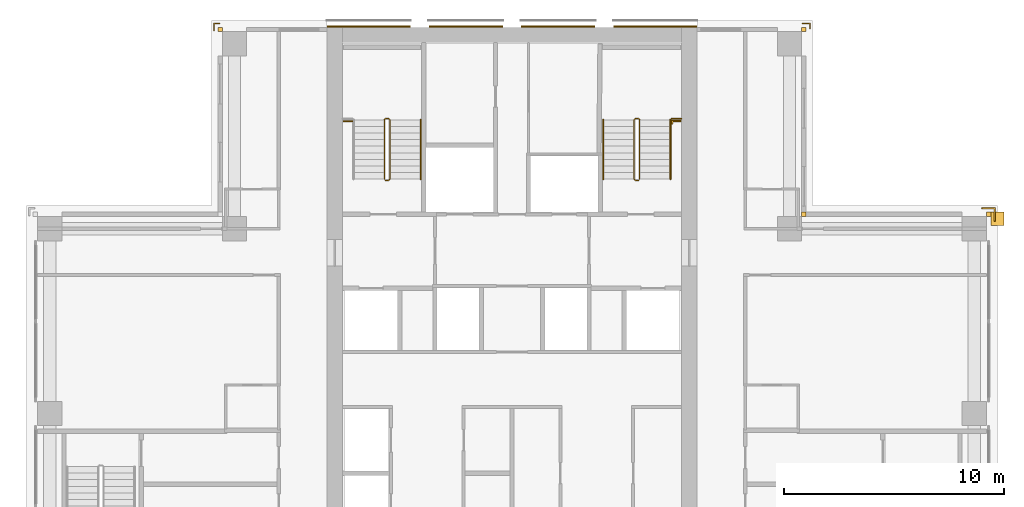
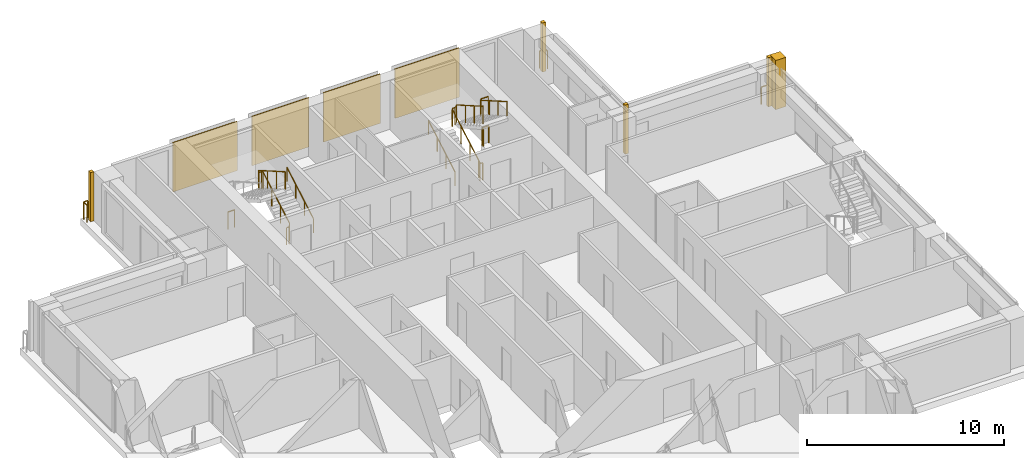
# One storey, part 16 of 16: 11 railings, 9 coverings.
"""IFC4 building model written with IfcOpenShell, lengths in metres."""

from ifc_helpers import new_model, si_unit, direction, frame, origin, origin_2d, place, context, subcontext, project, spatial, polyline, rectangle, outline, extrude, material, type_object, element, save


model = new_model("IFC4")

# Units and contexts
model_context = context("Model", 3, precision=1e-05, world=origin(), true_north=direction((0.0, 1.0)))
body_context = subcontext(model_context, "Body", "Model", "MODEL_VIEW")
ifc_project = project(units=[si_unit("LENGTHUNIT", "METRE"), si_unit("AREAUNIT", "SQUARE_METRE"), si_unit("VOLUMEUNIT", "CUBIC_METRE"), si_unit("PLANEANGLEUNIT", "RADIAN"), si_unit("MASSUNIT", "GRAM", prefix="KILO")], contexts=[model_context])

# Site, building, storey
site_placement = place(None, origin())
site = spatial("IfcSite", under=ifc_project, at=site_placement, CompositionType="ELEMENT")
building_placement = place(site_placement, origin())
building = spatial("IfcBuilding", under=site, at=building_placement, Name="Vermilion Ogive Tower", CompositionType="ELEMENT")
storey_placement = place(building_placement, frame((0.0, 0.0, 140.0)))
storey = spatial("IfcBuildingStorey", under=building, at=storey_placement, Name="L35", CompositionType="ELEMENT", Elevation=140.0)

# Railings
ifc_material_1 = material(Name="Stainless steel", Category="steel")
railing_type_1 = type_object("IfcRailingType", Name="Slab edge guard SG1", PredefinedType="GUARDRAIL", material=ifc_material_1)
railing_1_placement = place(storey_placement, frame((-13.530029296875, 21.60009765625, 0.0)))
element("IfcRailing", 1, at=railing_1_placement, inside=storey, type_object=railing_type_1, Name="L35 slab corner guard", PredefinedType="GUARDRAIL", context=body_context, shape_type="SweptSolid", body=[
    extrude(rectangle(XDim=0.050048828125, YDim=0.050048828125, at=origin_2d()), frame((0.0, 0.0, 1.0751953125), z_axis=(0.0, 1.0, 0.0), x_axis=(-1.0, 0.0, 0.0)), (0.0, 0.0, 1.0), 0.329833984375),
    extrude(rectangle(XDim=0.050048828125, YDim=0.050048828125, at=origin_2d()), frame((0.0, 0.329833984375, 1.0751953125), z_axis=(1.0, 0.0, 0.0), x_axis=(0.0, 1.0, 0.0)), (0.0, 0.0, 1.0), 0.22998046875),
    extrude(rectangle(XDim=0.050048828125, YDim=0.050048828125, at=origin_2d()), origin(), (0.0, 0.0, 1.0), 1.050048828125),
    extrude(rectangle(XDim=0.050048828125, YDim=0.050048828125, at=origin_2d()), frame((0.0, 0.329833984375, 0.0)), (0.0, 0.0, 1.0), 1.050048828125),
    extrude(rectangle(XDim=0.050048828125, YDim=0.050048828125, at=origin_2d()), frame((0.22998046875, 0.329833984375, 0.0)), (0.0, 0.0, 1.0), 1.050048828125),
])
railing_2_placement = place(storey_placement, frame((13.199951171875, 21.929931640625, 0.0)))
element("IfcRailing", 2, at=railing_2_placement, inside=storey, type_object=railing_type_1, Name="L35 slab corner guard", PredefinedType="GUARDRAIL", context=body_context, shape_type="SweptSolid", body=[
    extrude(rectangle(XDim=0.050048828125, YDim=0.050048828125, at=origin_2d()), frame((0.0, 0.0, 1.0751953125), z_axis=(1.0, 0.0, 0.0), x_axis=(0.0, 1.0, 0.0)), (0.0, 0.0, 1.0), 0.330078125),
    extrude(rectangle(XDim=0.050048828125, YDim=0.050048828125, at=origin_2d()), frame((0.330078125, 0.0, 1.0751953125), z_axis=(0.0, -1.0, 0.0), x_axis=(1.0, 0.0, 0.0)), (0.0, 0.0, 1.0), 0.22998046875),
    extrude(rectangle(XDim=0.050048828125, YDim=0.050048828125, at=origin_2d()), origin(), (0.0, 0.0, 1.0), 1.050048828125),
    extrude(rectangle(XDim=0.050048828125, YDim=0.050048828125, at=origin_2d()), frame((0.330078125, 0.0, 0.0)), (0.0, 0.0, 1.0), 1.050048828125),
    extrude(rectangle(XDim=0.050048828125, YDim=0.050048828125, at=origin_2d()), frame((0.330078125, -0.22998046875, 0.0)), (0.0, 0.0, 1.0), 1.050048828125),
])
railing_3_placement = place(storey_placement, frame((21.929931640625, 12.949951171875, 0.0)))
element("IfcRailing", 3, at=railing_3_placement, inside=storey, type_object=railing_type_1, Name="L35 slab corner guard", PredefinedType="GUARDRAIL", context=body_context, shape_type="SweptSolid", body=[
    extrude(rectangle(XDim=0.050048828125, YDim=0.050048828125, at=origin_2d()), frame((0.0, 0.0, 1.0751953125), z_axis=(0.0, 1.0, 0.0), x_axis=(-1.0, 0.0, 0.0)), (0.0, 0.0, 1.0), 0.580078125),
    extrude(rectangle(XDim=0.050048828125, YDim=0.050048828125, at=origin_2d()), frame((0.0, 0.580078125, 1.0751953125), z_axis=(-1.0, 0.0, 0.0), x_axis=(0.0, -1.0, 0.0)), (0.0, 0.0, 1.0), 0.579833984375),
    extrude(rectangle(XDim=0.050048828125, YDim=0.050048828125, at=origin_2d()), origin(), (0.0, 0.0, 1.0), 1.050048828125),
    extrude(rectangle(XDim=0.050048828125, YDim=0.050048828125, at=origin_2d()), frame((0.0, 0.580078125, 0.0)), (0.0, 0.0, 1.0), 1.050048828125),
    extrude(rectangle(XDim=0.050048828125, YDim=0.050048828125, at=origin_2d()), frame((-0.579833984375, 0.580078125, 0.0)), (0.0, 0.0, 1.0), 1.050048828125),
])
ifc_material_2 = material(Name="Steel S355 painted", Category="steel")
railing_type_2 = type_object("IfcRailingType", Name="Stair guard 1100", PredefinedType="GUARDRAIL", material=ifc_material_2)
railing_4_placement = place(storey_placement, frame((-5.75, 14.800048828125, 0.0)))
element("IfcRailing", 4, at=railing_4_placement, inside=storey, type_object=railing_type_2, Name="L35 ST1 stair guard 4", PredefinedType="GUARDRAIL", context=body_context, shape_type="SweptSolid", body=[
    extrude(rectangle(XDim=0.048095703125, YDim=0.048095703125, at=origin_2d()), frame((0.0, 0.0, 1.076171875), z_axis=(1.0, 0.0, 0.0), x_axis=(0.0, 1.0, 0.0)), (0.0, 0.0, 1.0), 0.14990234375),
    extrude(rectangle(XDim=0.048095703125, YDim=0.048095703125, at=origin_2d()), frame((0.14990234375, 0.0, 1.076171875), z_axis=(0.268277960024, 0.268277960024, 0.925231793839), x_axis=(-0.707106781187, 0.707106781187, 0.0)), (0.0, 0.0, 1.0), 0.1865234375),
    extrude(rectangle(XDim=0.048095703125, YDim=0.048095703125, at=origin_2d()), frame((0.199951171875, 0.050048828125, 1.24853515625), z_axis=(0.0, 0.866903762492, 0.498475542607), x_axis=(-1.0, 0.0, 0.0)), (0.0, 0.0, 1.0), 3.114501953125),
    extrude(rectangle(XDim=0.048095703125, YDim=0.048095703125, at=origin_2d()), frame((0.199951171875, 2.75, 2.80126953125), z_axis=(-0.707106781187, 0.707106781187, 0.0), x_axis=(-0.707106781187, -0.707106781187, 0.0)), (0.0, 0.0, 1.0), 0.07080078125),
    extrude(rectangle(XDim=0.048095703125, YDim=0.048095703125, at=origin_2d()), frame((0.14990234375, 2.800048828125, 2.80126953125), z_axis=(-1.0, 0.0, 0.0), x_axis=(0.0, -1.0, 0.0)), (0.0, 0.0, 1.0), 0.14990234375),
    extrude(rectangle(XDim=0.048095703125, YDim=0.048095703125, at=origin_2d()), frame((0.0, 2.800048828125, 2.80126953125), z_axis=(-0.268603158521, -0.268603158521, 0.925043072762), x_axis=(0.707106781187, -0.707106781187, 0.0)), (0.0, 0.0, 1.0), 0.186279296875),
    extrude(rectangle(XDim=0.048095703125, YDim=0.048095703125, at=origin_2d()), frame((-0.050048828125, 2.75, 2.9736328125), z_axis=(0.0, -0.866903762492, 0.498475542607), x_axis=(1.0, 0.0, 0.0)), (0.0, 0.0, 1.0), 3.114501953125),
    extrude(rectangle(XDim=0.0419921875, YDim=0.0419921875, at=origin_2d()), origin(), (0.0, 0.0, 1.0), 1.052001953125),
    extrude(rectangle(XDim=0.0419921875, YDim=0.0419921875, at=origin_2d()), frame((0.14990234375, 0.0, 0.0)), (0.0, 0.0, 1.0), 1.052001953125),
    extrude(rectangle(XDim=0.0419921875, YDim=0.0419921875, at=origin_2d()), frame((0.199951171875, 0.050048828125, 0.172607421875)), (0.0, 0.0, 1.0), 1.052001953125),
    extrude(rectangle(XDim=0.0419921875, YDim=0.0419921875, at=origin_2d()), frame((0.199951171875, 0.949951171875, 0.690185546875)), (0.0, 0.0, 1.0), 1.052001953125),
    extrude(rectangle(XDim=0.0419921875, YDim=0.0419921875, at=origin_2d()), frame((0.199951171875, 1.85009765625, 1.20751953125)), (0.0, 0.0, 1.0), 1.052001953125),
    extrude(rectangle(XDim=0.0419921875, YDim=0.0419921875, at=origin_2d()), frame((0.199951171875, 2.75, 1.72509765625)), (0.0, 0.0, 1.0), 1.052001953125),
    extrude(rectangle(XDim=0.0419921875, YDim=0.0419921875, at=origin_2d()), frame((0.14990234375, 2.800048828125, 1.72509765625)), (0.0, 0.0, 1.0), 1.052001953125),
    extrude(rectangle(XDim=0.0419921875, YDim=0.0419921875, at=origin_2d()), frame((0.0, 2.800048828125, 1.72509765625)), (0.0, 0.0, 1.0), 1.052001953125),
    extrude(rectangle(XDim=0.0419921875, YDim=0.0419921875, at=origin_2d()), frame((-0.050048828125, 2.75, 1.8974609375)), (0.0, 0.0, 1.0), 1.052001953125),
    extrude(rectangle(XDim=0.0419921875, YDim=0.0419921875, at=origin_2d()), frame((-0.050048828125, 1.85009765625, 2.4150390625)), (0.0, 0.0, 1.0), 1.052001953125),
    extrude(rectangle(XDim=0.0419921875, YDim=0.0419921875, at=origin_2d()), frame((-0.050048828125, 0.949951171875, 2.932373046875)), (0.0, 0.0, 1.0), 1.052001953125),
    extrude(rectangle(XDim=0.0419921875, YDim=0.0419921875, at=origin_2d()), frame((-0.050048828125, 0.050048828125, 3.449951171875)), (0.0, 0.0, 1.0), 1.052001953125),
])
railing_5_placement = place(storey_placement, frame((5.75, 14.800048828125, 0.0)))
element("IfcRailing", 5, at=railing_5_placement, inside=storey, type_object=railing_type_2, Name="L35 ST2 stair guard 4", PredefinedType="GUARDRAIL", context=body_context, shape_type="SweptSolid", body=[
    extrude(rectangle(XDim=0.048095703125, YDim=0.048095703125, at=origin_2d()), frame((0.0, 0.0, 1.076171875), z_axis=(-1.0, 0.0, 0.0), x_axis=(0.0, -1.0, 0.0)), (0.0, 0.0, 1.0), 0.14990234375),
    extrude(rectangle(XDim=0.048095703125, YDim=0.048095703125, at=origin_2d()), frame((-0.14990234375, 0.0, 1.076171875), z_axis=(-0.268277960024, 0.268277960024, 0.925231793839), x_axis=(-0.707106781187, -0.707106781187, 0.0)), (0.0, 0.0, 1.0), 0.1865234375),
    extrude(rectangle(XDim=0.048095703125, YDim=0.048095703125, at=origin_2d()), frame((-0.199951171875, 0.050048828125, 1.24853515625), z_axis=(0.0, 0.866903762492, 0.498475542607), x_axis=(-1.0, 0.0, 0.0)), (0.0, 0.0, 1.0), 3.114501953125),
    extrude(rectangle(XDim=0.048095703125, YDim=0.048095703125, at=origin_2d()), frame((-0.199951171875, 2.75, 2.80126953125), z_axis=(0.707106781187, 0.707106781187, 0.0), x_axis=(-0.707106781187, 0.707106781187, 0.0)), (0.0, 0.0, 1.0), 0.07080078125),
    extrude(rectangle(XDim=0.048095703125, YDim=0.048095703125, at=origin_2d()), frame((-0.14990234375, 2.800048828125, 2.80126953125), z_axis=(1.0, 0.0, 0.0), x_axis=(0.0, 1.0, 0.0)), (0.0, 0.0, 1.0), 0.14990234375),
    extrude(rectangle(XDim=0.048095703125, YDim=0.048095703125, at=origin_2d()), frame((0.0, 2.800048828125, 2.80126953125), z_axis=(0.268603158521, -0.268603158521, 0.925043072762), x_axis=(0.707106781187, 0.707106781187, 0.0)), (0.0, 0.0, 1.0), 0.186279296875),
    extrude(rectangle(XDim=0.048095703125, YDim=0.048095703125, at=origin_2d()), frame((0.050048828125, 2.75, 2.9736328125), z_axis=(0.0, -0.866903762492, 0.498475542607), x_axis=(1.0, 0.0, 0.0)), (0.0, 0.0, 1.0), 3.114501953125),
    extrude(rectangle(XDim=0.0419921875, YDim=0.0419921875, at=origin_2d()), origin(), (0.0, 0.0, 1.0), 1.052001953125),
    extrude(rectangle(XDim=0.0419921875, YDim=0.0419921875, at=origin_2d()), frame((-0.14990234375, 0.0, 0.0)), (0.0, 0.0, 1.0), 1.052001953125),
    extrude(rectangle(XDim=0.0419921875, YDim=0.0419921875, at=origin_2d()), frame((-0.199951171875, 0.050048828125, 0.172607421875)), (0.0, 0.0, 1.0), 1.052001953125),
    extrude(rectangle(XDim=0.0419921875, YDim=0.0419921875, at=origin_2d()), frame((-0.199951171875, 0.949951171875, 0.690185546875)), (0.0, 0.0, 1.0), 1.052001953125),
    extrude(rectangle(XDim=0.0419921875, YDim=0.0419921875, at=origin_2d()), frame((-0.199951171875, 1.85009765625, 1.20751953125)), (0.0, 0.0, 1.0), 1.052001953125),
    extrude(rectangle(XDim=0.0419921875, YDim=0.0419921875, at=origin_2d()), frame((-0.199951171875, 2.75, 1.72509765625)), (0.0, 0.0, 1.0), 1.052001953125),
    extrude(rectangle(XDim=0.0419921875, YDim=0.0419921875, at=origin_2d()), frame((-0.14990234375, 2.800048828125, 1.72509765625)), (0.0, 0.0, 1.0), 1.052001953125),
    extrude(rectangle(XDim=0.0419921875, YDim=0.0419921875, at=origin_2d()), frame((0.0, 2.800048828125, 1.72509765625)), (0.0, 0.0, 1.0), 1.052001953125),
    extrude(rectangle(XDim=0.0419921875, YDim=0.0419921875, at=origin_2d()), frame((0.050048828125, 2.75, 1.8974609375)), (0.0, 0.0, 1.0), 1.052001953125),
    extrude(rectangle(XDim=0.0419921875, YDim=0.0419921875, at=origin_2d()), frame((0.050048828125, 1.85009765625, 2.4150390625)), (0.0, 0.0, 1.0), 1.052001953125),
    extrude(rectangle(XDim=0.0419921875, YDim=0.0419921875, at=origin_2d()), frame((0.050048828125, 0.949951171875, 2.932373046875)), (0.0, 0.0, 1.0), 1.052001953125),
    extrude(rectangle(XDim=0.0419921875, YDim=0.0419921875, at=origin_2d()), frame((0.050048828125, 0.050048828125, 3.449951171875)), (0.0, 0.0, 1.0), 1.052001953125),
])
railing_6_placement = place(storey_placement, frame((7.25, 17.60009765625, 1.72509765625)))
element("IfcRailing", 6, at=railing_6_placement, inside=storey, type_object=railing_type_2, Name="L35 landing guard", PredefinedType="GUARDRAIL", context=body_context, shape_type="SweptSolid", body=[
    extrude(rectangle(XDim=0.048095703125, YDim=0.048095703125, at=origin_2d()), frame((0.0, 0.0, 1.076171875), z_axis=(1.0, 0.0, 0.0), x_axis=(0.0, 1.0, 0.0)), (0.0, 0.0, 1.0), 0.449951171875),
    extrude(rectangle(XDim=0.0419921875, YDim=0.0419921875, at=origin_2d()), origin(), (0.0, 0.0, 1.0), 1.052001953125),
    extrude(rectangle(XDim=0.0419921875, YDim=0.0419921875, at=origin_2d()), frame((0.449951171875, 0.0, 0.0)), (0.0, 0.0, 1.0), 1.052001953125),
])
railing_7_placement = place(storey_placement, frame((-7.639892578125, 17.489990234375, 0.0)))
element("IfcRailing", 7, at=railing_7_placement, inside=storey, type_object=railing_type_2, Name="L35 stair opening guard", PredefinedType="GUARDRAIL", context=body_context, shape_type="SweptSolid", body=[
    extrude(rectangle(XDim=0.048095703125, YDim=0.048095703125, at=origin_2d()), frame((0.0, 0.0, 1.076171875), z_axis=(1.0, 0.0, 0.0), x_axis=(0.0, 1.0, 0.0)), (0.0, 0.0, 1.0), 0.389892578125),
    extrude(rectangle(XDim=0.0419921875, YDim=0.0419921875, at=origin_2d()), origin(), (0.0, 0.0, 1.0), 1.052001953125),
    extrude(rectangle(XDim=0.0419921875, YDim=0.0419921875, at=origin_2d()), frame((0.389892578125, 0.0, 0.0)), (0.0, 0.0, 1.0), 1.052001953125),
])
railing_8_placement = place(storey_placement, frame((7.267578125, 17.372802734375, 0.0)))
element("IfcRailing", 8, at=railing_8_placement, inside=storey, type_object=railing_type_2, Name="L35 stair opening guard", PredefinedType="GUARDRAIL", context=body_context, shape_type="SweptSolid", body=[
    extrude(rectangle(XDim=0.048095703125, YDim=0.048095703125, at=origin_2d()), frame((0.0, 0.0, 1.076171875), z_axis=(0.0, 1.0, 0.0), x_axis=(-1.0, 0.0, 0.0)), (0.0, 0.0, 1.0), 0.119873046875),
    extrude(rectangle(XDim=0.048095703125, YDim=0.048095703125, at=origin_2d()), frame((0.0, 0.119873046875, 1.076171875), z_axis=(1.0, 0.0, 0.0), x_axis=(0.0, 1.0, 0.0)), (0.0, 0.0, 1.0), 0.39013671875),
    extrude(rectangle(XDim=0.0419921875, YDim=0.0419921875, at=origin_2d()), origin(), (0.0, 0.0, 1.0), 1.052001953125),
    extrude(rectangle(XDim=0.0419921875, YDim=0.0419921875, at=origin_2d()), frame((0.0, 0.119873046875, 0.0)), (0.0, 0.0, 1.0), 1.052001953125),
    extrude(rectangle(XDim=0.0419921875, YDim=0.0419921875, at=origin_2d()), frame((0.39013671875, 0.119873046875, 0.0)), (0.0, 0.0, 1.0), 1.052001953125),
])
ifc_material_3 = material(Name="Stainless steel", Category="steel")
railing_type_3 = type_object("IfcRailingType", Name="Stair handrail 900", PredefinedType="HANDRAIL", material=ifc_material_3)
for number, where, name in (
    (9, (-4.14990234375, 14.85009765625, 0.172607421875), "L35 ST1 stair handrail 1"),
    (10, (4.14990234375, 14.85009765625, 0.172607421875), "L35 ST2 stair handrail 1"),
):
    element("IfcRailing", number, at=place(storey_placement, frame(where)), inside=storey, type_object=railing_type_3, Name=name, PredefinedType="HANDRAIL", context=body_context, shape_type="SweptSolid", body=[
        extrude(rectangle(XDim=0.048095703125, YDim=0.048095703125, at=origin_2d()), frame((0.0, 0.0, 0.8759765625), z_axis=(0.0, 0.866903762492, 0.498475542607), x_axis=(-1.0, 0.0, 0.0)), (0.0, 0.0, 1.0), 3.114501953125),
        extrude(rectangle(XDim=0.0419921875, YDim=0.0419921875, at=origin_2d()), origin(), (0.0, 0.0, 1.0), 0.851806640625),
        extrude(rectangle(XDim=0.0419921875, YDim=0.0419921875, at=origin_2d()), frame((0.0, 0.89990234375, 0.517578125)), (0.0, 0.0, 1.0), 0.851806640625),
        extrude(rectangle(XDim=0.0419921875, YDim=0.0419921875, at=origin_2d()), frame((0.0, 1.800048828125, 1.034912109375)), (0.0, 0.0, 1.0), 0.851806640625),
        extrude(rectangle(XDim=0.0419921875, YDim=0.0419921875, at=origin_2d()), frame((0.0, 2.699951171875, 1.552490234375)), (0.0, 0.0, 1.0), 0.851806640625),
    ])
railing_9_placement = place(storey_placement, frame((7.199951171875, 17.550048828125, 1.8974609375)))
element("IfcRailing", 11, at=railing_9_placement, inside=storey, type_object=railing_type_3, Name="L35 ST2 stair handrail 2", PredefinedType="HANDRAIL", context=body_context, shape_type="SweptSolid", body=[
    extrude(rectangle(XDim=0.048095703125, YDim=0.048095703125, at=origin_2d()), frame((0.0, 0.0, 0.8759765625), z_axis=(0.0, -0.866903762492, 0.498475542607), x_axis=(1.0, 0.0, 0.0)), (0.0, 0.0, 1.0), 3.114501953125),
    extrude(rectangle(XDim=0.0419921875, YDim=0.0419921875, at=origin_2d()), origin(), (0.0, 0.0, 1.0), 0.851806640625),
    extrude(rectangle(XDim=0.0419921875, YDim=0.0419921875, at=origin_2d()), frame((0.0, -0.89990234375, 0.517578125)), (0.0, 0.0, 1.0), 0.851806640625),
    extrude(rectangle(XDim=0.0419921875, YDim=0.0419921875, at=origin_2d()), frame((0.0, -1.800048828125, 1.034912109375)), (0.0, 0.0, 1.0), 0.851806640625),
    extrude(rectangle(XDim=0.0419921875, YDim=0.0419921875, at=origin_2d()), frame((0.0, -2.699951171875, 1.552490234375)), (0.0, 0.0, 1.0), 0.851806640625),
])

# Coverings
ifc_material_4 = material(Name="Stone cladding", Category="masonry")
covering_type_1 = type_object("IfcCoveringType", Name="Stone cladding panel", PredefinedType="CLADDING", material=ifc_material_4)
covering_1_placement = place(storey_placement, origin())
element("IfcCovering", 12, at=covering_1_placement, inside=storey, type_object=covering_type_1, Name="Stone cladding panel N1", PredefinedType="CLADDING", context=body_context, shape_type="SweptSolid", body=[
    extrude(outline(polyline([(-8.389892578125, 21.75), (-4.6298828125, 21.75), (-4.6298828125, 21.81005859375), (-8.389892578125, 21.81005859375), (-8.389892578125, 21.75)])), origin(), (0.0, 0.0, 1.0), 3.050048828125),
])
covering_2_placement = place(storey_placement, origin())
element("IfcCovering", 13, at=covering_2_placement, inside=storey, type_object=covering_type_1, Name="Stone cladding panel N2", PredefinedType="CLADDING", context=body_context, shape_type="SweptSolid", body=[
    extrude(outline(polyline([(-3.77001953125, 21.75), (-0.429931640625, 21.75), (-0.429931640625, 21.81005859375), (-3.77001953125, 21.81005859375), (-3.77001953125, 21.75)])), origin(), (0.0, 0.0, 1.0), 3.050048828125),
])
covering_3_placement = place(storey_placement, origin())
element("IfcCovering", 14, at=covering_3_placement, inside=storey, type_object=covering_type_1, Name="Stone cladding panel N3", PredefinedType="CLADDING", context=body_context, shape_type="SweptSolid", body=[
    extrude(outline(polyline([(0.429931640625, 21.75), (3.77001953125, 21.75), (3.77001953125, 21.81005859375), (0.429931640625, 21.81005859375), (0.429931640625, 21.75)])), origin(), (0.0, 0.0, 1.0), 3.050048828125),
])
covering_4_placement = place(storey_placement, origin())
element("IfcCovering", 15, at=covering_4_placement, inside=storey, type_object=covering_type_1, Name="Stone cladding panel N4", PredefinedType="CLADDING", context=body_context, shape_type="SweptSolid", body=[
    extrude(outline(polyline([(4.6298828125, 21.75), (8.389892578125, 21.75), (8.389892578125, 21.81005859375), (4.6298828125, 21.81005859375), (4.6298828125, 21.75)])), origin(), (0.0, 0.0, 1.0), 3.050048828125),
])
ifc_material_5 = material(Name="Stone cladding", Category="masonry")
covering_type_2 = type_object("IfcCoveringType", Name="Stone corner buttress", PredefinedType="CLADDING", material=ifc_material_5)
covering_5_placement = place(storey_placement, origin())
element("IfcCovering", 16, at=covering_5_placement, inside=storey, type_object=covering_type_2, Name="Stone crease pier EK", PredefinedType="CLADDING", context=body_context, shape_type="SweptSolid", body=[
    extrude(outline(polyline([(22.35009765625, 12.75), (22.35009765625, 13.35009765625), (21.75, 13.35009765625), (21.75, 12.75), (22.35009765625, 12.75)])), origin(), (0.0, 0.0, 1.0), 3.050048828125),
])
ifc_material_6 = material(Name="Stone cladding", Category="masonry")
covering_type_3 = type_object("IfcCoveringType", Name="Stone pier", PredefinedType="CLADDING", material=ifc_material_6)
covering_6_placement = place(storey_placement, origin())
element("IfcCovering", 17, at=covering_6_placement, inside=storey, type_object=covering_type_3, Name="Stone corner pier EE1", PredefinedType="CLADDING", context=body_context, shape_type="SweptSolid", body=[
    extrude(outline(polyline([(21.75, 13.14990234375), (21.550048828125, 13.14990234375), (21.550048828125, 13.35009765625), (21.75, 13.35009765625), (21.75, 13.14990234375)])), origin(), (0.0, 0.0, 1.0), 3.050048828125),
])
covering_7_placement = place(storey_placement, origin())
element("IfcCovering", 18, at=covering_7_placement, inside=storey, type_object=covering_type_3, Name="Stone corner pier X3E1", PredefinedType="CLADDING", context=body_context, shape_type="SweptSolid", body=[
    extrude(outline(polyline([(13.14990234375, 13.14990234375), (13.14990234375, 13.35009765625), (13.35009765625, 13.35009765625), (13.35009765625, 13.14990234375), (13.14990234375, 13.14990234375)])), origin(), (0.0, 0.0, 1.0), 3.050048828125),
])
covering_8_placement = place(storey_placement, origin())
element("IfcCovering", 19, at=covering_8_placement, inside=storey, type_object=covering_type_3, Name="Stone corner pier X4E1", PredefinedType="CLADDING", context=body_context, shape_type="SweptSolid", body=[
    extrude(outline(polyline([(13.35009765625, 21.550048828125), (13.14990234375, 21.550048828125), (13.14990234375, 21.75), (13.35009765625, 21.75), (13.35009765625, 21.550048828125)])), origin(), (0.0, 0.0, 1.0), 3.050048828125),
])
covering_9_placement = place(storey_placement, origin())
element("IfcCovering", 20, at=covering_9_placement, inside=storey, type_object=covering_type_3, Name="Stone corner pier N2E1", PredefinedType="CLADDING", context=body_context, shape_type="SweptSolid", body=[
    extrude(outline(polyline([(-13.14990234375, 21.75), (-13.14990234375, 21.550048828125), (-13.35009765625, 21.550048828125), (-13.35009765625, 21.75), (-13.14990234375, 21.75)])), origin(), (0.0, 0.0, 1.0), 3.050048828125),
])

save(model, "model.ifc")
